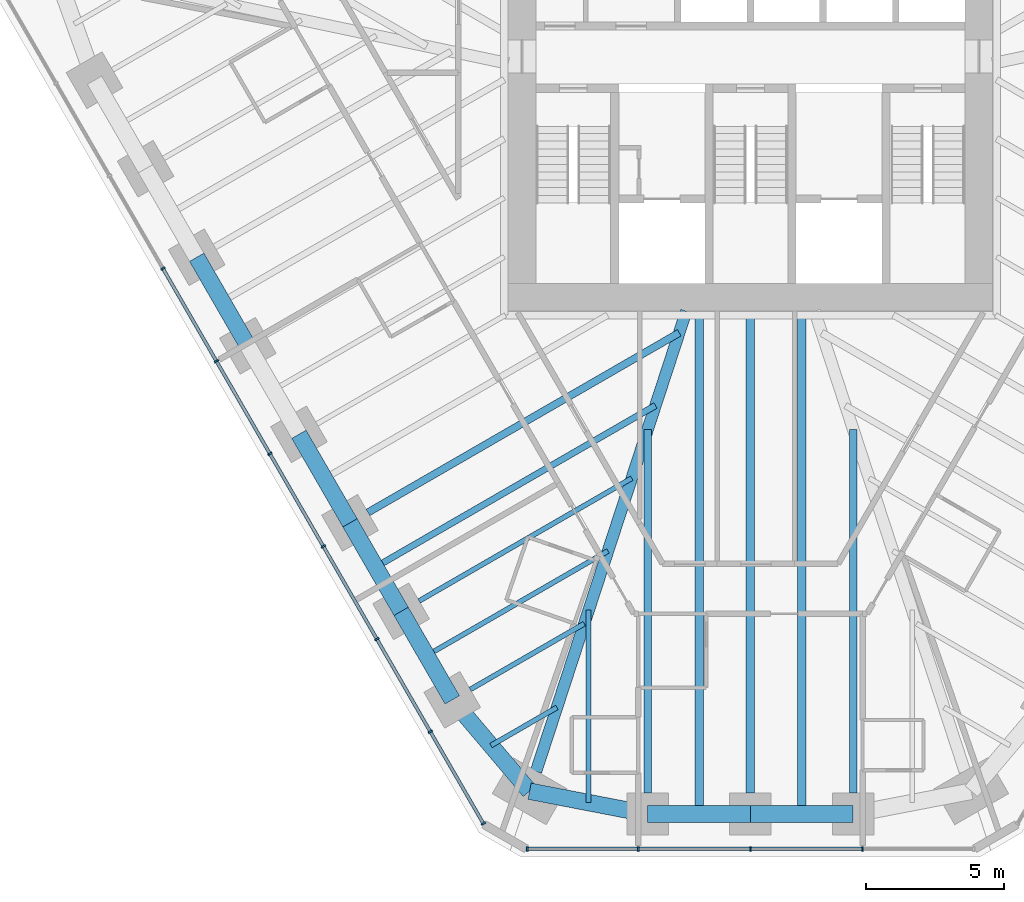
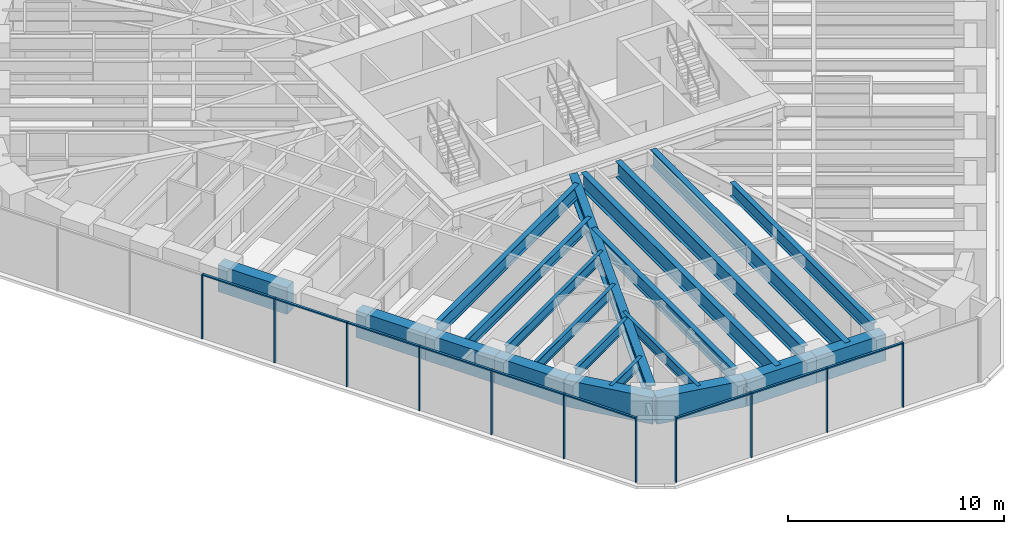
# One storey, part 2 of 16: 21 beams, 20 members, 2 elements without a shape of their own.
"""IFC4 building model written with IfcOpenShell, lengths in metres."""

from ifc_helpers import new_model, si_unit, direction, frame, origin, origin_2d, place, context, subcontext, project, spatial, rectangle, i_section, extrude, material, material_profile, profile_set, type_object, element, aggregate, save


model = new_model("IFC4")

# Units and contexts
model_context = context("Model", 3, precision=1e-05, world=origin(), true_north=direction((0.0, 1.0)))
body_context = subcontext(model_context, "Body", "Model", "MODEL_VIEW")
ifc_project = project(units=[si_unit("LENGTHUNIT", "METRE"), si_unit("AREAUNIT", "SQUARE_METRE"), si_unit("VOLUMEUNIT", "CUBIC_METRE"), si_unit("PLANEANGLEUNIT", "RADIAN"), si_unit("MASSUNIT", "GRAM", prefix="KILO")], contexts=[model_context])

# Site, building, storey
site_placement = place(None, origin())
site = spatial("IfcSite", under=ifc_project, at=site_placement, CompositionType="ELEMENT")
building_placement = place(site_placement, origin())
building = spatial("IfcBuilding", under=site, at=building_placement, Name="Sandreach Pilgrim Tower", CompositionType="ELEMENT")
storey_placement = place(building_placement, frame((0.0, 0.0, 209.800048828125)))
storey = spatial("IfcBuildingStorey", under=building, at=storey_placement, Name="L52", CompositionType="ELEMENT", Elevation=209.800048828125)

# Curtain wall, members
ifc_material_1 = material(Name="Aluminium framed curtain wall", Category="aluminium")
curtain_wall_type = type_object("IfcCurtainWallType", Name="Upper hotel tower curtain wall", PredefinedType="NOTDEFINED", material=ifc_material_1)
curtain_wall_1_placement = place(storey_placement, origin())
curtain_wall_1 = element("IfcCurtainWall", 1, at=curtain_wall_1_placement, inside=storey, type_object=curtain_wall_type, Name="CW-3 L52 S", PredefinedType="NOTDEFINED")
ifc_material_2 = material(Name="Aluminium extrusion", Category="aluminium")
ifc_material_profile_1 = material_profile(ifc_material_2, rectangle(XDim=0.06494140625, YDim=0.159912109375, at=origin_2d()), Name="CW-3M 65X160")
ifc_profile_set_1 = profile_set([ifc_material_profile_1], Name="Aluminium extrusion")
member_type_1 = type_object("IfcMemberType", Name="CW-3 mullion", PredefinedType="MULLION", material=ifc_profile_set_1)
member_1_placement = place(storey_placement, frame((4.048583984375, -26.525146484375, 0.0), z_axis=(0.0, 0.0, 1.0), x_axis=(-1.0, 0.0, 0.0)))
member_1 = element("IfcMember", 2, at=member_1_placement, type_object=member_type_1, Name="CW-3 mullion 2", PredefinedType="MULLION", context=body_context, shape_type="SweptSolid", body=[
    extrude(rectangle(XDim=0.06494140625, YDim=0.159912109375, at=origin_2d()), origin(), (0.0, 0.0, 1.0), 3.639892578125),
])
member_2_placement = place(storey_placement, frame((0.0, -26.525146484375, 0.0), z_axis=(0.0, 0.0, 1.0), x_axis=(-1.0, 0.0, 0.0)))
member_2 = element("IfcMember", 3, at=member_2_placement, type_object=member_type_1, Name="CW-3 mullion 3", PredefinedType="MULLION", context=body_context, shape_type="SweptSolid", body=[
    extrude(rectangle(XDim=0.06494140625, YDim=0.159912109375, at=origin_2d()), origin(), (0.0, 0.0, 1.0), 3.639892578125),
])
member_3_placement = place(storey_placement, frame((-4.048583984375, -26.525146484375, 0.0), z_axis=(0.0, 0.0, 1.0), x_axis=(-1.0, 0.0, 0.0)))
member_3 = element("IfcMember", 4, at=member_3_placement, type_object=member_type_1, Name="CW-3 mullion 4", PredefinedType="MULLION", context=body_context, shape_type="SweptSolid", body=[
    extrude(rectangle(XDim=0.06494140625, YDim=0.159912109375, at=origin_2d()), origin(), (0.0, 0.0, 1.0), 3.639892578125),
])
member_4_placement = place(storey_placement, frame((-8.06494140625, -26.525146484375, 0.0), z_axis=(0.0, 0.0, 1.0), x_axis=(-1.0, 0.0, 0.0)))
member_4 = element("IfcMember", 5, at=member_4_placement, type_object=member_type_1, Name="CW-3 mullion 5", PredefinedType="MULLION", context=body_context, shape_type="SweptSolid", body=[
    extrude(rectangle(XDim=0.06494140625, YDim=0.159912109375, at=origin_2d()), origin(), (0.0, 0.0, 1.0), 3.639892578125),
])

curtain_wall_2_placement = place(storey_placement, origin())
curtain_wall_2 = element("IfcCurtainWall", 6, at=curtain_wall_2_placement, inside=storey, type_object=curtain_wall_type, Name="CW-3 L52 SW", PredefinedType="NOTDEFINED")
member_5_placement = place(storey_placement, frame((-9.646484375, -25.612060546875, 0.0), z_axis=(0.0, 0.0, 1.0), x_axis=(-0.5, 0.866025403784, 0.0)))
member_5 = element("IfcMember", 7, at=member_5_placement, type_object=member_type_1, Name="CW-3 mullion 1", PredefinedType="MULLION", context=body_context, shape_type="SweptSolid", body=[
    extrude(rectangle(XDim=0.06494140625, YDim=0.159912109375, at=origin_2d()), origin(), (0.0, 0.0, 1.0), 3.639892578125),
])
member_6_placement = place(storey_placement, frame((-11.5625, -22.29345703125, 0.0), z_axis=(0.0, 0.0, 1.0), x_axis=(-0.5, 0.866025403784, 0.0)))
member_6 = element("IfcMember", 8, at=member_6_placement, type_object=member_type_1, Name="CW-3 mullion 2", PredefinedType="MULLION", context=body_context, shape_type="SweptSolid", body=[
    extrude(rectangle(XDim=0.06494140625, YDim=0.159912109375, at=origin_2d()), origin(), (0.0, 0.0, 1.0), 3.639892578125),
])
member_7_placement = place(storey_placement, frame((-13.49462890625, -18.94677734375, 0.0), z_axis=(0.0, 0.0, 1.0), x_axis=(-0.5, 0.866025403784, 0.0)))
member_7 = element("IfcMember", 9, at=member_7_placement, type_object=member_type_1, Name="CW-3 mullion 3", PredefinedType="MULLION", context=body_context, shape_type="SweptSolid", body=[
    extrude(rectangle(XDim=0.06494140625, YDim=0.159912109375, at=origin_2d()), origin(), (0.0, 0.0, 1.0), 3.639892578125),
])
member_8_placement = place(storey_placement, frame((-15.4267578125, -15.60009765625, 0.0), z_axis=(0.0, 0.0, 1.0), x_axis=(-0.5, 0.866025403784, 0.0)))
member_8 = element("IfcMember", 10, at=member_8_placement, type_object=member_type_1, Name="CW-3 mullion 4", PredefinedType="MULLION", context=body_context, shape_type="SweptSolid", body=[
    extrude(rectangle(XDim=0.06494140625, YDim=0.159912109375, at=origin_2d()), origin(), (0.0, 0.0, 1.0), 3.639892578125),
])
member_9_placement = place(storey_placement, frame((-17.359130859375, -12.25341796875, 0.0), z_axis=(0.0, 0.0, 1.0), x_axis=(-0.5, 0.866025403784, 0.0)))
member_9 = element("IfcMember", 11, at=member_9_placement, type_object=member_type_1, Name="CW-3 mullion 5", PredefinedType="MULLION", context=body_context, shape_type="SweptSolid", body=[
    extrude(rectangle(XDim=0.06494140625, YDim=0.159912109375, at=origin_2d()), origin(), (0.0, 0.0, 1.0), 3.639892578125),
])
member_10_placement = place(storey_placement, frame((-19.291259765625, -8.90673828125, 0.0), z_axis=(0.0, 0.0, 1.0), x_axis=(-0.5, 0.866025403784, 0.0)))
member_10 = element("IfcMember", 12, at=member_10_placement, type_object=member_type_1, Name="CW-3 mullion 6", PredefinedType="MULLION", context=body_context, shape_type="SweptSolid", body=[
    extrude(rectangle(XDim=0.06494140625, YDim=0.159912109375, at=origin_2d()), origin(), (0.0, 0.0, 1.0), 3.639892578125),
])
member_11_placement = place(storey_placement, frame((-21.223388671875, -5.56005859375, 0.0), z_axis=(0.0, 0.0, 1.0), x_axis=(-0.5, 0.866025403784, 0.0)))
member_11 = element("IfcMember", 13, at=member_11_placement, type_object=member_type_1, Name="CW-3 mullion 7", PredefinedType="MULLION", context=body_context, shape_type="SweptSolid", body=[
    extrude(rectangle(XDim=0.06494140625, YDim=0.159912109375, at=origin_2d()), origin(), (0.0, 0.0, 1.0), 3.639892578125),
])

# Member
ifc_material_3 = material(Name="Aluminium extrusion", Category="aluminium")
ifc_material_profile_2 = material_profile(ifc_material_3, rectangle(XDim=0.1201171875, YDim=0.070068359375, at=origin_2d()), Name="CW-3T 120X70")
ifc_profile_set_2 = profile_set([ifc_material_profile_2], Name="Aluminium extrusion")
member_type_2 = type_object("IfcMemberType", Name="CW-3 transom", PredefinedType="USERDEFINED", material=ifc_profile_set_2)
member_12_placement = place(storey_placement, frame((4.01611328125, -26.525146484375, 3.60498046875), z_axis=(-1.0, 0.0, 0.0), x_axis=(0.0, -1.0, 0.0)))
member_12 = element("IfcMember", 14, at=member_12_placement, type_object=member_type_2, Name="CW-3 head transom 2", ObjectType="TRANSOM", PredefinedType="USERDEFINED", context=body_context, shape_type="SweptSolid", body=[
    extrude(rectangle(XDim=0.1201171875, YDim=0.070068359375, at=origin_2d()), origin(), (0.0, 0.0, 1.0), 3.983642578125),
])

member_13_placement = place(storey_placement, frame((-0.032470703125, -26.525146484375, 3.60498046875), z_axis=(-1.0, 0.0, 0.0), x_axis=(0.0, -1.0, 0.0)))
member_13 = element("IfcMember", 15, at=member_13_placement, type_object=member_type_2, Name="CW-3 head transom 3", ObjectType="TRANSOM", PredefinedType="USERDEFINED", context=body_context, shape_type="SweptSolid", body=[
    extrude(rectangle(XDim=0.1201171875, YDim=0.070068359375, at=origin_2d()), origin(), (0.0, 0.0, 1.0), 3.983642578125),
])

member_14_placement = place(storey_placement, frame((-4.081298828125, -26.525146484375, 3.60498046875), z_axis=(-1.0, 0.0, 0.0), x_axis=(0.0, -1.0, 0.0)))
member_14 = element("IfcMember", 16, at=member_14_placement, type_object=member_type_2, Name="CW-3 head transom 4", ObjectType="TRANSOM", PredefinedType="USERDEFINED", context=body_context, shape_type="SweptSolid", body=[
    extrude(rectangle(XDim=0.1201171875, YDim=0.070068359375, at=origin_2d()), origin(), (0.0, 0.0, 1.0), 3.951171875),
])

aggregate(curtain_wall_1, [member_1, member_2, member_3, member_4, member_12, member_13, member_14])

member_15_placement = place(storey_placement, frame((-9.662841796875, -25.583740234375, 3.60498046875), z_axis=(-0.499973055223, 0.8660409598, 0.0), x_axis=(-0.8660409598, -0.499973055223, 0.0)))
member_15 = element("IfcMember", 17, at=member_15_placement, type_object=member_type_2, Name="CW-3 head transom 1", ObjectType="TRANSOM", PredefinedType="USERDEFINED", context=body_context, shape_type="SweptSolid", body=[
    extrude(rectangle(XDim=0.1201171875, YDim=0.070068359375, at=origin_2d()), origin(), (0.0, 0.0, 1.0), 3.766845703125),
])

member_16_placement = place(storey_placement, frame((-11.57861328125, -22.265380859375, 3.60498046875), z_axis=(-0.500022797313, 0.86601224135, 0.0), x_axis=(-0.86601224135, -0.500022797313, 0.0)))
member_16 = element("IfcMember", 18, at=member_16_placement, type_object=member_type_2, Name="CW-3 head transom 2", ObjectType="TRANSOM", PredefinedType="USERDEFINED", context=body_context, shape_type="SweptSolid", body=[
    extrude(rectangle(XDim=0.1201171875, YDim=0.070068359375, at=origin_2d()), origin(), (0.0, 0.0, 1.0), 3.799560546875),
])

member_17_placement = place(storey_placement, frame((-13.510986328125, -18.918701171875, 3.60498046875), z_axis=(-0.499974606132, 0.866040064445, 0.0), x_axis=(-0.866040064445, -0.499974606132, 0.0)))
member_17 = element("IfcMember", 19, at=member_17_placement, type_object=member_type_2, Name="CW-3 head transom 3", ObjectType="TRANSOM", PredefinedType="USERDEFINED", context=body_context, shape_type="SweptSolid", body=[
    extrude(rectangle(XDim=0.1201171875, YDim=0.070068359375, at=origin_2d()), origin(), (0.0, 0.0, 1.0), 3.799560546875),
])

member_18_placement = place(storey_placement, frame((-15.443115234375, -15.572021484375, 3.60498046875), z_axis=(-0.499974606132, 0.866040064445, 0.0), x_axis=(-0.866040064445, -0.499974606132, 0.0)))
member_18 = element("IfcMember", 20, at=member_18_placement, type_object=member_type_2, Name="CW-3 head transom 4", ObjectType="TRANSOM", PredefinedType="USERDEFINED", context=body_context, shape_type="SweptSolid", body=[
    extrude(rectangle(XDim=0.1201171875, YDim=0.070068359375, at=origin_2d()), origin(), (0.0, 0.0, 1.0), 3.799560546875),
])

member_19_placement = place(storey_placement, frame((-17.375244140625, -12.225341796875, 3.60498046875), z_axis=(-0.500022797313, 0.86601224135, 0.0), x_axis=(-0.86601224135, -0.500022797313, 0.0)))
member_19 = element("IfcMember", 21, at=member_19_placement, type_object=member_type_2, Name="CW-3 head transom 5", ObjectType="TRANSOM", PredefinedType="USERDEFINED", context=body_context, shape_type="SweptSolid", body=[
    extrude(rectangle(XDim=0.1201171875, YDim=0.070068359375, at=origin_2d()), origin(), (0.0, 0.0, 1.0), 3.799560546875),
])

member_20_placement = place(storey_placement, frame((-19.3076171875, -8.878662109375, 3.60498046875), z_axis=(-0.499974606132, 0.866040064445, 0.0), x_axis=(-0.866040064445, -0.499974606132, 0.0)))
member_20 = element("IfcMember", 22, at=member_20_placement, type_object=member_type_2, Name="CW-3 head transom 6", ObjectType="TRANSOM", PredefinedType="USERDEFINED", context=body_context, shape_type="SweptSolid", body=[
    extrude(rectangle(XDim=0.1201171875, YDim=0.070068359375, at=origin_2d()), origin(), (0.0, 0.0, 1.0), 3.799560546875),
])

aggregate(curtain_wall_2, [member_5, member_6, member_7, member_8, member_9, member_10, member_11, member_15, member_16, member_17, member_18, member_19, member_20])

# Beams
ifc_material_4 = material(Name="Steel ASTM A992 Grade 50", Category="steel")
ifc_material_profile_3 = material_profile(ifc_material_4, i_section(OverallWidth=0.421630859375, OverallDepth=0.95751953125, WebThickness=0.02587890625, FlangeThickness=0.046875, at=origin_2d()), Name="W36X330")
ifc_profile_set_3 = profile_set([ifc_material_profile_3], Name="Steel ASTM A992 Grade 50")
beam_type_1 = type_object("IfcBeamType", Name="Corner girder W36X330", PredefinedType="BEAM", material=ifc_profile_set_3)
beam_1_placement = place(storey_placement, frame((-7.745849609375, -23.72900390625, 3.1611328125), z_axis=(0.310317870968, 0.950632851819, 0.0), x_axis=(-0.950632851819, 0.310317870968, 0.0)))
element("IfcBeam", 23, at=beam_1_placement, inside=storey, type_object=beam_type_1, Name="BM L52 CG26", PredefinedType="BEAM", context=body_context, shape_type="SweptSolid", body=[
    extrude(i_section(OverallWidth=0.421630859375, OverallDepth=0.95751953125, WebThickness=0.02587890625, FlangeThickness=0.046875, at=origin_2d()), origin(), (0.0, 0.0, 1.0), 17.492431640625),
])
ifc_material_5 = material(Name="Steel ASTM A992 Grade 50", Category="steel")
ifc_material_profile_4 = material_profile(ifc_material_5, i_section(OverallWidth=0.1787109375, OverallDepth=0.60205078125, WebThickness=0.010986328125, FlangeThickness=0.014892578125, at=origin_2d()), Name="W24X62")
ifc_profile_set_4 = profile_set([ifc_material_profile_4], Name="Steel ASTM A992 Grade 50")
beam_type_2 = type_object("IfcBeamType", Name="Floor beam W24X62", PredefinedType="BEAM", material=ifc_profile_set_4)
beam_2_placement = place(storey_placement, frame((-10.12255859375, -20.767333984375, 3.3388671875), z_axis=(0.86603347311, 0.499986023258, 0.0), x_axis=(-0.499986023258, 0.86603347311, 0.0)))
element("IfcBeam", 24, at=beam_2_placement, inside=storey, type_object=beam_type_2, Name="BM L52 F27", PredefinedType="BEAM", context=body_context, shape_type="SweptSolid", body=[
    extrude(i_section(OverallWidth=0.1787109375, OverallDepth=0.60205078125, WebThickness=0.010986328125, FlangeThickness=0.014892578125, at=origin_2d()), origin(), (0.0, 0.0, 1.0), 4.757568359375),
])
beam_3_placement = place(storey_placement, frame((-11.96875, -17.569580078125, 3.3388671875), z_axis=(0.866020566617, 0.500008378126, 0.0), x_axis=(-0.500008378126, 0.866020566617, 0.0)))
element("IfcBeam", 25, at=beam_3_placement, inside=storey, type_object=beam_type_2, Name="BM L52 F28", PredefinedType="BEAM", context=body_context, shape_type="SweptSolid", body=[
    extrude(i_section(OverallWidth=0.1787109375, OverallDepth=0.60205078125, WebThickness=0.010986328125, FlangeThickness=0.014892578125, at=origin_2d()), origin(), (0.0, 0.0, 1.0), 8.869384765625),
])
beam_4_placement = place(storey_placement, frame((-5.844482421875, -24.853515625, 3.3388671875), z_axis=(0.0, 1.0, 0.0), x_axis=(-1.0, 0.0, 0.0)))
element("IfcBeam", 26, at=beam_4_placement, inside=storey, type_object=beam_type_2, Name="BM L52 FM25", PredefinedType="BEAM", context=body_context, shape_type="SweptSolid", body=[
    extrude(i_section(OverallWidth=0.1787109375, OverallDepth=0.60205078125, WebThickness=0.010986328125, FlangeThickness=0.014892578125, at=origin_2d()), origin(), (0.0, 0.0, 1.0), 6.94921875),
])
beam_5_placement = place(storey_placement, frame((-9.375244140625, -22.7919921875, 3.3388671875), z_axis=(0.866046803606, 0.49996293259, 0.0), x_axis=(-0.49996293259, 0.866046803606, 0.0)))
element("IfcBeam", 27, at=beam_5_placement, inside=storey, type_object=beam_type_2, Name="BM L52 FM26", PredefinedType="BEAM", context=body_context, shape_type="SweptSolid", body=[
    extrude(i_section(OverallWidth=0.1787109375, OverallDepth=0.60205078125, WebThickness=0.010986328125, FlangeThickness=0.014892578125, at=origin_2d()), origin(), (0.0, 0.0, 1.0), 2.753662109375),
])
beam_6_placement = place(storey_placement, frame((-11.6953125, -19.54345703125, 3.3388671875), z_axis=(0.866029704776, 0.49999255039, 0.0), x_axis=(-0.49999255039, 0.866029704776, 0.0)))
element("IfcBeam", 28, at=beam_6_placement, inside=storey, type_object=beam_type_2, Name="BM L52 FM27", PredefinedType="BEAM", context=body_context, shape_type="SweptSolid", body=[
    extrude(i_section(OverallWidth=0.1787109375, OverallDepth=0.60205078125, WebThickness=0.010986328125, FlangeThickness=0.014892578125, at=origin_2d()), origin(), (0.0, 0.0, 1.0), 7.5634765625),
])
ifc_material_6 = material(Name="Steel ASTM A992 Grade 50", Category="steel")
ifc_material_profile_5 = material_profile(ifc_material_6, i_section(OverallWidth=0.23046875, OverallDepth=0.6171875, WebThickness=0.01318359375, FlangeThickness=0.022216796875, at=origin_2d()), Name="W24X94")
ifc_profile_set_5 = profile_set([ifc_material_profile_5], Name="Steel ASTM A992 Grade 50")
beam_type_3 = type_object("IfcBeamType", Name="Floor beam W24X94", PredefinedType="BEAM", material=ifc_profile_set_5)
beam_7_placement = place(storey_placement, frame((-13.54150390625, -16.345703125, 3.331298828125), z_axis=(0.866026454974, 0.499998179282, 0.0), x_axis=(-0.499998179282, 0.866026454974, 0.0)))
element("IfcBeam", 29, at=beam_7_placement, inside=storey, type_object=beam_type_3, Name="BM L52 FM28", PredefinedType="BEAM", context=body_context, shape_type="SweptSolid", body=[
    extrude(i_section(OverallWidth=0.23046875, OverallDepth=0.6171875, WebThickness=0.01318359375, FlangeThickness=0.022216796875, at=origin_2d()), origin(), (0.0, 0.0, 1.0), 11.67578125),
])
ifc_material_7 = material(Name="Steel ASTM A992 Grade 50", Category="steel")
ifc_material_profile_6 = material_profile(ifc_material_7, i_section(OverallWidth=0.2666015625, OverallDepth=0.761962890625, WebThickness=0.014404296875, FlangeThickness=0.021484375, at=origin_2d()), Name="W30X116")
ifc_profile_set_6 = profile_set([ifc_material_profile_6], Name="Steel ASTM A992 Grade 50")
beam_type_4 = type_object("IfcBeamType", Name="Floor beam W30X116", PredefinedType="BEAM", material=ifc_profile_set_6)
for number, where, z_axis, x_axis, name in (
    (30, (3.71044921875, -24.51513671875, 3.259033203125), (0.0, 1.0, 0.0), (-1.0, 0.0, 0.0), "BM L52 F23"),
    (31, (-3.71044921875, -24.51513671875, 3.259033203125), (0.0, 1.0, 0.0), (-1.0, 0.0, 0.0), "BM L52 F25"),
):
    element("IfcBeam", number, at=place(storey_placement, frame(where, z_axis=z_axis, x_axis=x_axis)), inside=storey, type_object=beam_type_4, Name=name, PredefinedType="BEAM", context=body_context, shape_type="SweptSolid", body=[
        extrude(i_section(OverallWidth=0.2666015625, OverallDepth=0.761962890625, WebThickness=0.014404296875, FlangeThickness=0.021484375, at=origin_2d()), origin(), (0.0, 0.0, 1.0), 13.1484375),
    ])
beam_8_placement = place(storey_placement, frame((-13.815185546875, -14.371826171875, 3.259033203125), z_axis=(0.866025240073, 0.500000283557, 0.0), x_axis=(-0.500000283557, 0.866025240073, 0.0)))
element("IfcBeam", 32, at=beam_8_placement, inside=storey, type_object=beam_type_4, Name="BM L52 F29", PredefinedType="BEAM", context=body_context, shape_type="SweptSolid", body=[
    extrude(i_section(OverallWidth=0.2666015625, OverallDepth=0.761962890625, WebThickness=0.014404296875, FlangeThickness=0.021484375, at=origin_2d()), origin(), (0.0, 0.0, 1.0), 12.98193359375),
])
ifc_material_8 = material(Name="Steel ASTM A992 Grade 50", Category="steel")
ifc_material_profile_7 = material_profile(ifc_material_8, i_section(OverallWidth=0.3046875, OverallDepth=0.914306640625, WebThickness=0.0166015625, FlangeThickness=0.02587890625, at=origin_2d()), Name="W36X160")
ifc_profile_set_7 = profile_set([ifc_material_profile_7], Name="Steel ASTM A992 Grade 50")
beam_type_5 = type_object("IfcBeamType", Name="Floor beam W36X160", PredefinedType="BEAM", material=ifc_profile_set_7)
beam_9_placement = place(storey_placement, frame((0.0, -24.51513671875, 3.182861328125), z_axis=(0.0, 1.0, 0.0), x_axis=(-1.0, 0.0, 0.0)))
element("IfcBeam", 33, at=beam_9_placement, inside=storey, type_object=beam_type_5, Name="BM L52 F24", PredefinedType="BEAM", context=body_context, shape_type="SweptSolid", body=[
    extrude(i_section(OverallWidth=0.3046875, OverallDepth=0.914306640625, WebThickness=0.0166015625, FlangeThickness=0.02587890625, at=origin_2d()), origin(), (0.0, 0.0, 1.0), 17.271728515625),
])
for number, where, z_axis, x_axis, name in (
    (34, (1.855224609375, -25.26513671875, 3.182861328125), (0.0, 1.0, 0.0), (-1.0, 0.0, 0.0), "BM L52 FM23"),
    (35, (-1.855224609375, -25.26513671875, 3.182861328125), (0.0, 1.0, 0.0), (-1.0, 0.0, 0.0), "BM L52 FM24"),
):
    element("IfcBeam", number, at=place(storey_placement, frame(where, z_axis=z_axis, x_axis=x_axis)), inside=storey, type_object=beam_type_5, Name=name, PredefinedType="BEAM", context=body_context, shape_type="SweptSolid", body=[
        extrude(i_section(OverallWidth=0.3046875, OverallDepth=0.914306640625, WebThickness=0.0166015625, FlangeThickness=0.02587890625, at=origin_2d()), origin(), (0.0, 0.0, 1.0), 18.021728515625),
    ])
ifc_material_9 = material(Name="Concrete 10000 psi", Category="concrete")
ifc_material_profile_8 = material_profile(ifc_material_9, rectangle(XDim=0.60009765625, YDim=1.5, at=origin_2d()), Name="RC600X1500")
ifc_profile_set_8 = profile_set([ifc_material_profile_8], Name="Concrete 10000 psi")
beam_type_6 = type_object("IfcBeamType", Name="Spandrel beam RC600X1500", PredefinedType="SPANDREL", material=ifc_profile_set_8)
for number, where, z_axis, x_axis, name in (
    (36, (3.71044921875, -25.26513671875, 2.889892578125), (-1.0, 0.0, 0.0), (0.0, -1.0, 0.0), "BM L52 SP23"),
    (37, (0.0, -25.26513671875, 2.889892578125), (-1.0, 0.0, 0.0), (0.0, -1.0, 0.0), "BM L52 SP24"),
):
    element("IfcBeam", number, at=place(storey_placement, frame(where, z_axis=z_axis, x_axis=x_axis)), inside=storey, type_object=beam_type_6, Name=name, PredefinedType="SPANDREL", context=body_context, shape_type="SweptSolid", body=[
        extrude(rectangle(XDim=0.60009765625, YDim=1.5, at=origin_2d()), origin(), (0.0, 0.0, 1.0), 3.71044921875),
    ])
beam_10_placement = place(storey_placement, frame((-3.71044921875, -25.26513671875, 2.889892578125), z_axis=(-0.981901333807, 0.18939316426, 0.0), x_axis=(-0.18939316426, -0.981901333807, 0.0)))
element("IfcBeam", 38, at=beam_10_placement, inside=storey, type_object=beam_type_6, Name="BM L52 SP25", PredefinedType="SPANDREL", context=body_context, shape_type="SweptSolid", body=[
    extrude(rectangle(XDim=0.60009765625, YDim=1.5, at=origin_2d()), origin(), (0.0, 0.0, 1.0), 4.3466796875),
])
beam_11_placement = place(storey_placement, frame((-7.978515625, -24.44189453125, 2.889892578125), z_axis=(-0.646180160755, 0.76318490541, 0.0), x_axis=(-0.76318490541, -0.646180160755, 0.0)))
element("IfcBeam", 39, at=beam_11_placement, inside=storey, type_object=beam_type_6, Name="BM L52 SP26", PredefinedType="SPANDREL", context=body_context, shape_type="SweptSolid", body=[
    extrude(rectangle(XDim=0.60009765625, YDim=1.5, at=origin_2d()), origin(), (0.0, 0.0, 1.0), 4.323486328125),
])
for number, where, z_axis, x_axis, name in (
    (40, (-10.772216796875, -21.142333984375, 2.889892578125), (-0.499993363642, 0.866029235253, 0.0), (-0.866029235253, -0.499993363642, 0.0), "BM L52 SP27"),
    (41, (-12.618408203125, -17.944580078125, 2.889892578125), (-0.499993363642, 0.866029235253, 0.0), (-0.866029235253, -0.499993363642, 0.0), "BM L52 SP28"),
):
    element("IfcBeam", number, at=place(storey_placement, frame(where, z_axis=z_axis, x_axis=x_axis)), inside=storey, type_object=beam_type_6, Name=name, PredefinedType="SPANDREL", context=body_context, shape_type="SweptSolid", body=[
        extrude(rectangle(XDim=0.60009765625, YDim=1.5, at=origin_2d()), origin(), (0.0, 0.0, 1.0), 3.6923828125),
    ])
beam_12_placement = place(storey_placement, frame((-14.464599609375, -14.746826171875, 2.889892578125), z_axis=(-0.49996473481, 0.866045763194, 0.0), x_axis=(-0.866045763194, -0.49996473481, 0.0)))
element("IfcBeam", 42, at=beam_12_placement, inside=storey, type_object=beam_type_6, Name="BM L52 SP29", PredefinedType="SPANDREL", context=body_context, shape_type="SweptSolid", body=[
    extrude(rectangle(XDim=0.60009765625, YDim=1.5, at=origin_2d()), origin(), (0.0, 0.0, 1.0), 3.692626953125),
])
beam_13_placement = place(storey_placement, frame((-18.1572265625, -8.35107421875, 2.889892578125), z_axis=(-0.499993363642, 0.866029235253, 0.0), x_axis=(-0.866029235253, -0.499993363642, 0.0)))
element("IfcBeam", 43, at=beam_13_placement, inside=storey, type_object=beam_type_6, Name="BM L52 SP31", PredefinedType="SPANDREL", context=body_context, shape_type="SweptSolid", body=[
    extrude(rectangle(XDim=0.60009765625, YDim=1.5, at=origin_2d()), origin(), (0.0, 0.0, 1.0), 3.6923828125),
])

save(model, "model.ifc")
